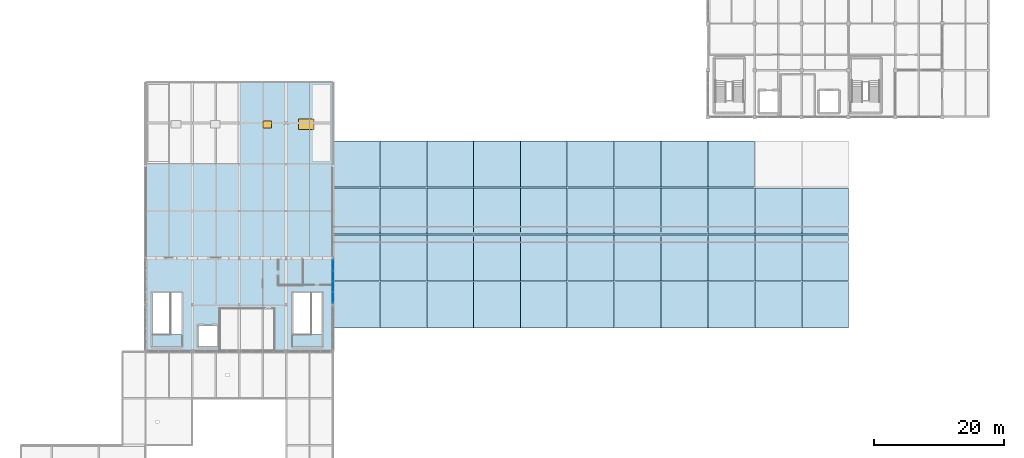
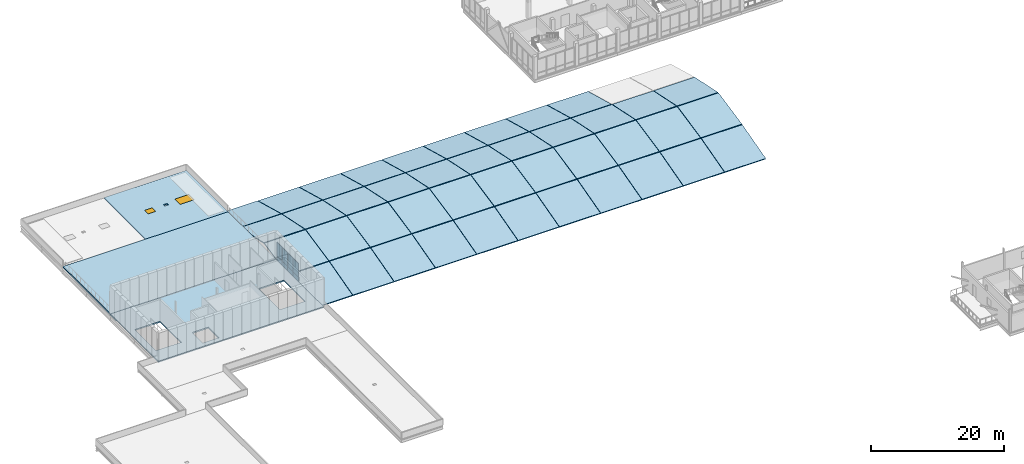
# One storey, part 31 of 47: 45 slabs, 8 plates, 2 windows, 2 openings, 2 elements without a shape of their own.
"""IFC4 building model written with IfcOpenShell, lengths in metres."""

from ifc_helpers import new_model, si_unit, direction, frame, origin, origin_2d, place, context, subcontext, project, spatial, polyline, rectangle, outline, extrude, material, layer, layer_set, type_object, element, fill, aggregate, save


model = new_model("IFC4")

# Units and contexts
model_context = context("Model", 3, precision=1e-05, world=origin(), true_north=direction((0.0, 1.0)))
body_context = subcontext(model_context, "Body", "Model", "MODEL_VIEW")
ifc_project = project(units=[si_unit("LENGTHUNIT", "METRE"), si_unit("AREAUNIT", "SQUARE_METRE"), si_unit("VOLUMEUNIT", "CUBIC_METRE"), si_unit("PLANEANGLEUNIT", "RADIAN"), si_unit("MASSUNIT", "GRAM", prefix="KILO")], contexts=[model_context])

# Site, building, storey
site_placement = place(None, origin())
site = spatial("IfcSite", under=ifc_project, at=site_placement, CompositionType="ELEMENT")
building_placement = place(site_placement, origin())
building = spatial("IfcBuilding", under=site, at=building_placement, Name="Yarey Park Central Fire Station", CompositionType="ELEMENT")
storey_placement = place(building_placement, frame((0.0, 0.0, 18.0)))
storey = spatial("IfcBuildingStorey", under=building, at=storey_placement, Name="L05", CompositionType="ELEMENT", Elevation=18.0)

# Curtain wall, plates
ifc_material_1 = material(Name="Anodized Aluminium Frame", Category="aluminium")
curtain_wall_type = type_object("IfcCurtainWallType", Name="ENV_CW_V3_PAV", PredefinedType="NOTDEFINED", material=ifc_material_1)
curtain_wall_placement = place(storey_placement, origin())
curtain_wall = element("IfcCurtainWall", 1, at=curtain_wall_placement, inside=storey, type_object=curtain_wall_type, Name="CW_L05_V3_E_086", PredefinedType="NOTDEFINED")
ifc_material_2 = material(Name="Insulated Aluminium Spandrel Panel", Category="aluminium")
ifc_layer_1 = layer(ifc_material_2, 0.077880859375)
ifc_layer_set_1 = layer_set([ifc_layer_1], Name="Insulated Aluminium Spandrel Panel")
plate_type_1 = type_object("IfcPlateType", Name="ENV_PNL_SPN_03", PredefinedType="CURTAIN_PANEL", material=ifc_layer_set_1)
plate_1_placement = place(storey_placement, frame((57.60009765625, 65.9326171875, 0.04248046875), z_axis=(0.0, 0.0, 1.0), x_axis=(0.0, 1.0, 0.0)))
plate_1 = element("IfcPlate", 2, at=plate_1_placement, type_object=plate_type_1, Name="CW_L05_V3_E_086_PNL01", PredefinedType="CURTAIN_PANEL", context=body_context, shape_type="SweptSolid", body=[
    extrude(rectangle(XDim=1.60498046875, YDim=0.077880859375, at=origin_2d()), origin(), (0.0, 0.0, 1.0), 0.7900390625),
])
plate_2_placement = place(storey_placement, frame((57.60009765625, 67.577392578125, 0.04248046875), z_axis=(0.0, 0.0, 1.0), x_axis=(0.0, 1.0, 0.0)))
plate_2 = element("IfcPlate", 3, at=plate_2_placement, type_object=plate_type_1, Name="CW_L05_V3_E_086_PNL03", PredefinedType="CURTAIN_PANEL", context=body_context, shape_type="SweptSolid", body=[
    extrude(rectangle(XDim=1.60498046875, YDim=0.077880859375, at=origin_2d()), origin(), (0.0, 0.0, 1.0), 0.7900390625),
])
plate_3_placement = place(storey_placement, frame((57.60009765625, 69.222412109375, 0.04248046875), z_axis=(0.0, 0.0, 1.0), x_axis=(0.0, 1.0, 0.0)))
plate_3 = element("IfcPlate", 4, at=plate_3_placement, type_object=plate_type_1, Name="CW_L05_V3_E_086_PNL05", PredefinedType="CURTAIN_PANEL", context=body_context, shape_type="SweptSolid", body=[
    extrude(rectangle(XDim=1.60498046875, YDim=0.077880859375, at=origin_2d()), origin(), (0.0, 0.0, 1.0), 0.7900390625),
])
plate_4_placement = place(storey_placement, frame((57.60009765625, 70.867431640625, 0.04248046875), z_axis=(0.0, 0.0, 1.0), x_axis=(0.0, 1.0, 0.0)))
plate_4 = element("IfcPlate", 5, at=plate_4_placement, type_object=plate_type_1, Name="CW_L05_V3_E_086_PNL07", PredefinedType="CURTAIN_PANEL", context=body_context, shape_type="SweptSolid", body=[
    extrude(rectangle(XDim=1.60498046875, YDim=0.077880859375, at=origin_2d()), origin(), (0.0, 0.0, 1.0), 0.7900390625),
])
ifc_material_3 = material(Name="Laminated Hurricane Low-E Glass", Category="glass")
ifc_layer_2 = layer(ifc_material_3, 0.0380859375)
ifc_layer_set_2 = layer_set([ifc_layer_2], Name="Laminated Hurricane Low-E Glass")
plate_type_2 = type_object("IfcPlateType", Name="ENV_PNL_VIS_03", PredefinedType="CURTAIN_PANEL", material=ifc_layer_set_2)
plate_5_placement = place(storey_placement, frame((57.60009765625, 65.9326171875, 0.86767578125), z_axis=(0.0, 0.0, 1.0), x_axis=(0.0, 1.0, 0.0)))
plate_5 = element("IfcPlate", 6, at=plate_5_placement, type_object=plate_type_2, Name="CW_L05_V3_E_086_PNL02", PredefinedType="CURTAIN_PANEL", context=body_context, shape_type="SweptSolid", body=[
    extrude(rectangle(XDim=1.60498046875, YDim=0.0380859375, at=origin_2d()), origin(), (0.0, 0.0, 1.0), 2.489990234375),
])
plate_6_placement = place(storey_placement, frame((57.60009765625, 67.577392578125, 0.86767578125), z_axis=(0.0, 0.0, 1.0), x_axis=(0.0, 1.0, 0.0)))
plate_6 = element("IfcPlate", 7, at=plate_6_placement, type_object=plate_type_2, Name="CW_L05_V3_E_086_PNL04", PredefinedType="CURTAIN_PANEL", context=body_context, shape_type="SweptSolid", body=[
    extrude(rectangle(XDim=1.60498046875, YDim=0.0380859375, at=origin_2d()), origin(), (0.0, 0.0, 1.0), 2.489990234375),
])
plate_7_placement = place(storey_placement, frame((57.60009765625, 69.222412109375, 0.86767578125), z_axis=(0.0, 0.0, 1.0), x_axis=(0.0, 1.0, 0.0)))
plate_7 = element("IfcPlate", 8, at=plate_7_placement, type_object=plate_type_2, Name="CW_L05_V3_E_086_PNL06", PredefinedType="CURTAIN_PANEL", context=body_context, shape_type="SweptSolid", body=[
    extrude(rectangle(XDim=1.60498046875, YDim=0.0380859375, at=origin_2d()), origin(), (0.0, 0.0, 1.0), 2.489990234375),
])
plate_8_placement = place(storey_placement, frame((57.60009765625, 70.867431640625, 0.86767578125), z_axis=(0.0, 0.0, 1.0), x_axis=(0.0, 1.0, 0.0)))
plate_8 = element("IfcPlate", 9, at=plate_8_placement, type_object=plate_type_2, Name="CW_L05_V3_E_086_PNL08", PredefinedType="CURTAIN_PANEL", context=body_context, shape_type="SweptSolid", body=[
    extrude(rectangle(XDim=1.60498046875, YDim=0.0380859375, at=origin_2d()), origin(), (0.0, 0.0, 1.0), 2.489990234375),
])
aggregate(curtain_wall, [plate_1, plate_5, plate_2, plate_6, plate_3, plate_7, plate_4, plate_8])

# Roof, slabs
ifc_material_4 = material(Name="Steel ASTM A500 Gr. C", Category="steel")
roof_type = type_object("IfcRoofType", Name="ARCH_ROOF_BARREL", PredefinedType="BARREL_ROOF", material=ifc_material_4)
roof_placement = place(storey_placement, origin())
roof = element("IfcRoof", 10, at=roof_placement, inside=storey, type_object=roof_type, Name="ROOF_CONTAINER_V2_BARREL", PredefinedType="BARREL_ROOF")
ifc_material_5 = material(Name="Concrete C40/50", Category="concrete")
ifc_layer_3 = layer(ifc_material_5, 0.179931640625)
ifc_layer_set_3 = layer_set([ifc_layer_3], Name="Concrete C40/50")
slab_type_1 = type_object("IfcSlabType", Name="STR_ROOF_ARCH180", PredefinedType="ROOF", material=ifc_layer_set_3)
slab_1_placement = place(storey_placement, frame((57.6201171875, 61.25, -2.64599609375), z_axis=(0.0, -0.262053064363, 0.965053465596), x_axis=(1.0, 0.0, 0.0)))
slab_1 = element("IfcSlab", 11, at=slab_1_placement, type_object=slab_type_1, Name="ROOF_L05_V2_ARCH_01_F1", PredefinedType="ROOF", context=body_context, shape_type="SweptSolid", body=[
    extrude(outline(polyline([(0.0, 0.0), (7.159912109375, 0.0), (7.159912109375, 7.35720652727639), (0.0, 7.35720652727639), (0.0, 0.0)])), origin(), (0.0, 0.0, -1.0), 0.179931640625),
])
slab_2_placement = place(storey_placement, frame((57.6201171875, 68.449951171875, -0.693115234375), z_axis=(0.0, -0.204367473087, 0.97889424145), x_axis=(1.0, 0.0, 0.0)))
slab_2 = element("IfcSlab", 12, at=slab_2_placement, type_object=slab_type_1, Name="ROOF_L05_V2_ARCH_01_F2", PredefinedType="ROOF", context=body_context, shape_type="SweptSolid", body=[
    extrude(outline(polyline([(0.0, 0.0), (7.159912109375, 0.0), (7.159912109375, 7.24295597052658), (0.0, 7.24295597052658), (0.0, 0.0)])), origin(), (0.0, 0.0, -1.0), 0.179931640625),
])
slab_3_placement = place(storey_placement, frame((57.6201171875, 75.659912109375, 0.787109375), z_axis=(0.0, 0.204367473087, 0.97889424145), x_axis=(1.0, 0.0, 0.0)))
slab_3 = element("IfcSlab", 13, at=slab_3_placement, type_object=slab_type_1, Name="ROOF_L05_V2_ARCH_01_F3", PredefinedType="ROOF", context=body_context, shape_type="SweptSolid", body=[
    extrude(outline(polyline([(0.0, 0.0), (7.159912109375, 0.0), (7.159912109375, 7.24295597052658), (0.0, 7.24295597052658), (0.0, 0.0)])), origin(), (0.0, 0.0, -1.0), 0.179931640625),
])
slab_4_placement = place(storey_placement, frame((57.6201171875, 82.85009765625, -0.718017578125), z_axis=(0.0, 0.262061456665, 0.965051186689), x_axis=(1.0, 0.0, 0.0)))
slab_4 = element("IfcSlab", 14, at=slab_4_placement, type_object=slab_type_1, Name="ROOF_L05_V2_ARCH_01_F4", PredefinedType="ROOF", context=body_context, shape_type="SweptSolid", body=[
    extrude(outline(polyline([(0.0, 0.0), (7.159912109375, 0.0), (7.159912109375, 7.356970918798323), (0.0, 7.356970918798323), (0.0, 0.0)])), origin(), (0.0, 0.0, -1.0), 0.179931640625),
])
slab_5_placement = place(storey_placement, frame((64.820068359375, 61.25, -2.64599609375), z_axis=(0.0, -0.262053064363, 0.965053465596), x_axis=(1.0, 0.0, 0.0)))
slab_5 = element("IfcSlab", 15, at=slab_5_placement, type_object=slab_type_1, Name="ROOF_L05_V2_ARCH_02_F1", PredefinedType="ROOF", context=body_context, shape_type="SweptSolid", body=[
    extrude(outline(polyline([(0.0, 0.0), (7.159912109375, 0.0), (7.159912109375, 7.35720652727639), (0.0, 7.35720652727639), (0.0, 0.0)])), origin(), (0.0, 0.0, -1.0), 0.179931640625),
])
slab_6_placement = place(storey_placement, frame((64.820068359375, 68.449951171875, -0.693115234375), z_axis=(0.0, -0.204367473087, 0.97889424145), x_axis=(1.0, 0.0, 0.0)))
slab_6 = element("IfcSlab", 16, at=slab_6_placement, type_object=slab_type_1, Name="ROOF_L05_V2_ARCH_02_F2", PredefinedType="ROOF", context=body_context, shape_type="SweptSolid", body=[
    extrude(outline(polyline([(0.0, 0.0), (7.159912109375, 0.0), (7.159912109375, 7.24295597052658), (0.0, 7.24295597052658), (0.0, 0.0)])), origin(), (0.0, 0.0, -1.0), 0.179931640625),
])
slab_7_placement = place(storey_placement, frame((64.820068359375, 75.659912109375, 0.787109375), z_axis=(0.0, 0.204367473087, 0.97889424145), x_axis=(1.0, 0.0, 0.0)))
slab_7 = element("IfcSlab", 17, at=slab_7_placement, type_object=slab_type_1, Name="ROOF_L05_V2_ARCH_02_F3", PredefinedType="ROOF", context=body_context, shape_type="SweptSolid", body=[
    extrude(outline(polyline([(0.0, 0.0), (7.159912109375, 0.0), (7.159912109375, 7.24295597052658), (0.0, 7.24295597052658), (0.0, 0.0)])), origin(), (0.0, 0.0, -1.0), 0.179931640625),
])
slab_8_placement = place(storey_placement, frame((64.820068359375, 82.85009765625, -0.718017578125), z_axis=(0.0, 0.262061456665, 0.965051186689), x_axis=(1.0, 0.0, 0.0)))
slab_8 = element("IfcSlab", 18, at=slab_8_placement, type_object=slab_type_1, Name="ROOF_L05_V2_ARCH_02_F4", PredefinedType="ROOF", context=body_context, shape_type="SweptSolid", body=[
    extrude(outline(polyline([(0.0, 0.0), (7.159912109375, 0.0), (7.159912109375, 7.356970918798323), (0.0, 7.356970918798323), (0.0, 0.0)])), origin(), (0.0, 0.0, -1.0), 0.179931640625),
])
slab_9_placement = place(storey_placement, frame((72.02001953125, 61.25, -2.64599609375), z_axis=(0.0, -0.262053064363, 0.965053465596), x_axis=(1.0, 0.0, 0.0)))
slab_9 = element("IfcSlab", 19, at=slab_9_placement, type_object=slab_type_1, Name="ROOF_L05_V2_ARCH_03_F1", PredefinedType="ROOF", context=body_context, shape_type="SweptSolid", body=[
    extrude(outline(polyline([(0.0, 0.0), (7.159912109375, 0.0), (7.159912109375, 7.35720652727639), (0.0, 7.35720652727639), (0.0, 0.0)])), origin(), (0.0, 0.0, -1.0), 0.179931640625),
])
slab_10_placement = place(storey_placement, frame((72.02001953125, 68.449951171875, -0.693115234375), z_axis=(0.0, -0.204367473087, 0.97889424145), x_axis=(1.0, 0.0, 0.0)))
slab_10 = element("IfcSlab", 20, at=slab_10_placement, type_object=slab_type_1, Name="ROOF_L05_V2_ARCH_03_F2", PredefinedType="ROOF", context=body_context, shape_type="SweptSolid", body=[
    extrude(outline(polyline([(0.0, 0.0), (7.159912109375, 0.0), (7.159912109375, 7.24295597052658), (0.0, 7.24295597052658), (0.0, 0.0)])), origin(), (0.0, 0.0, -1.0), 0.179931640625),
])
slab_11_placement = place(storey_placement, frame((72.02001953125, 75.659912109375, 0.787109375), z_axis=(0.0, 0.204367473087, 0.97889424145), x_axis=(1.0, 0.0, 0.0)))
slab_11 = element("IfcSlab", 21, at=slab_11_placement, type_object=slab_type_1, Name="ROOF_L05_V2_ARCH_03_F3", PredefinedType="ROOF", context=body_context, shape_type="SweptSolid", body=[
    extrude(outline(polyline([(0.0, 0.0), (7.159912109375, 0.0), (7.159912109375, 7.24295597052658), (0.0, 7.24295597052658), (0.0, 0.0)])), origin(), (0.0, 0.0, -1.0), 0.179931640625),
])
slab_12_placement = place(storey_placement, frame((72.02001953125, 82.85009765625, -0.718017578125), z_axis=(0.0, 0.262061456665, 0.965051186689), x_axis=(1.0, 0.0, 0.0)))
slab_12 = element("IfcSlab", 22, at=slab_12_placement, type_object=slab_type_1, Name="ROOF_L05_V2_ARCH_03_F4", PredefinedType="ROOF", context=body_context, shape_type="SweptSolid", body=[
    extrude(outline(polyline([(0.0, 0.0), (7.159912109375, 0.0), (7.159912109375, 7.356970918798323), (0.0, 7.356970918798323), (0.0, 0.0)])), origin(), (0.0, 0.0, -1.0), 0.179931640625),
])
slab_13_placement = place(storey_placement, frame((79.219970703125, 61.25, -2.64599609375), z_axis=(0.0, -0.262053064363, 0.965053465596), x_axis=(1.0, 0.0, 0.0)))
slab_13 = element("IfcSlab", 23, at=slab_13_placement, type_object=slab_type_1, Name="ROOF_L05_V2_ARCH_04_F1", PredefinedType="ROOF", context=body_context, shape_type="SweptSolid", body=[
    extrude(outline(polyline([(0.0, 0.0), (7.159912109375, 0.0), (7.159912109375, 7.35720652727639), (0.0, 7.35720652727639), (0.0, 0.0)])), origin(), (0.0, 0.0, -1.0), 0.179931640625),
])
slab_14_placement = place(storey_placement, frame((79.219970703125, 68.449951171875, -0.693115234375), z_axis=(0.0, -0.204367473087, 0.97889424145), x_axis=(1.0, 0.0, 0.0)))
slab_14 = element("IfcSlab", 24, at=slab_14_placement, type_object=slab_type_1, Name="ROOF_L05_V2_ARCH_04_F2", PredefinedType="ROOF", context=body_context, shape_type="SweptSolid", body=[
    extrude(outline(polyline([(0.0, 0.0), (7.159912109375, 0.0), (7.159912109375, 7.24295597052658), (0.0, 7.24295597052658), (0.0, 0.0)])), origin(), (0.0, 0.0, -1.0), 0.179931640625),
])
slab_15_placement = place(storey_placement, frame((79.219970703125, 75.659912109375, 0.787109375), z_axis=(0.0, 0.204367473087, 0.97889424145), x_axis=(1.0, 0.0, 0.0)))
slab_15 = element("IfcSlab", 25, at=slab_15_placement, type_object=slab_type_1, Name="ROOF_L05_V2_ARCH_04_F3", PredefinedType="ROOF", context=body_context, shape_type="SweptSolid", body=[
    extrude(outline(polyline([(0.0, 0.0), (7.159912109375, 0.0), (7.159912109375, 7.24295597052658), (0.0, 7.24295597052658), (0.0, 0.0)])), origin(), (0.0, 0.0, -1.0), 0.179931640625),
])
slab_16_placement = place(storey_placement, frame((79.219970703125, 82.85009765625, -0.718017578125), z_axis=(0.0, 0.262061456665, 0.965051186689), x_axis=(1.0, 0.0, 0.0)))
slab_16 = element("IfcSlab", 26, at=slab_16_placement, type_object=slab_type_1, Name="ROOF_L05_V2_ARCH_04_F4", PredefinedType="ROOF", context=body_context, shape_type="SweptSolid", body=[
    extrude(outline(polyline([(0.0, 0.0), (7.159912109375, 0.0), (7.159912109375, 7.356970918798323), (0.0, 7.356970918798323), (0.0, 0.0)])), origin(), (0.0, 0.0, -1.0), 0.179931640625),
])
slab_17_placement = place(storey_placement, frame((86.419921875, 61.25, -2.64599609375), z_axis=(0.0, -0.262053064363, 0.965053465596), x_axis=(1.0, 0.0, 0.0)))
slab_17 = element("IfcSlab", 27, at=slab_17_placement, type_object=slab_type_1, Name="ROOF_L05_V2_ARCH_05_F1", PredefinedType="ROOF", context=body_context, shape_type="SweptSolid", body=[
    extrude(outline(polyline([(0.0, 0.0), (7.16015625, 0.0), (7.16015625, 7.35720652727639), (0.0, 7.35720652727639), (0.0, 0.0)])), origin(), (0.0, 0.0, -1.0), 0.179931640625),
])
slab_18_placement = place(storey_placement, frame((86.419921875, 68.449951171875, -0.693115234375), z_axis=(0.0, -0.204367473087, 0.97889424145), x_axis=(1.0, 0.0, 0.0)))
slab_18 = element("IfcSlab", 28, at=slab_18_placement, type_object=slab_type_1, Name="ROOF_L05_V2_ARCH_05_F2", PredefinedType="ROOF", context=body_context, shape_type="SweptSolid", body=[
    extrude(outline(polyline([(0.0, 0.0), (7.16015625, 0.0), (7.16015625, 7.24295597052658), (0.0, 7.24295597052658), (0.0, 0.0)])), origin(), (0.0, 0.0, -1.0), 0.179931640625),
])
slab_19_placement = place(storey_placement, frame((86.419921875, 75.659912109375, 0.787109375), z_axis=(0.0, 0.204367473087, 0.97889424145), x_axis=(1.0, 0.0, 0.0)))
slab_19 = element("IfcSlab", 29, at=slab_19_placement, type_object=slab_type_1, Name="ROOF_L05_V2_ARCH_05_F3", PredefinedType="ROOF", context=body_context, shape_type="SweptSolid", body=[
    extrude(outline(polyline([(0.0, 0.0), (7.16015625, 0.0), (7.16015625, 7.24295597052658), (0.0, 7.24295597052658), (0.0, 0.0)])), origin(), (0.0, 0.0, -1.0), 0.179931640625),
])
slab_20_placement = place(storey_placement, frame((86.419921875, 82.85009765625, -0.718017578125), z_axis=(0.0, 0.262061456665, 0.965051186689), x_axis=(1.0, 0.0, 0.0)))
slab_20 = element("IfcSlab", 30, at=slab_20_placement, type_object=slab_type_1, Name="ROOF_L05_V2_ARCH_05_F4", PredefinedType="ROOF", context=body_context, shape_type="SweptSolid", body=[
    extrude(outline(polyline([(0.0, 0.0), (7.16015625, 0.0), (7.16015625, 7.356970918798322), (0.0, 7.356970918798322), (0.0, 0.0)])), origin(), (0.0, 0.0, -1.0), 0.179931640625),
])
slab_21_placement = place(storey_placement, frame((93.6201171875, 61.25, -2.64599609375), z_axis=(0.0, -0.262053064363, 0.965053465596), x_axis=(1.0, 0.0, 0.0)))
slab_21 = element("IfcSlab", 31, at=slab_21_placement, type_object=slab_type_1, Name="ROOF_L05_V2_ARCH_06_F1", PredefinedType="ROOF", context=body_context, shape_type="SweptSolid", body=[
    extrude(outline(polyline([(0.0, 0.0), (7.159912109375, 0.0), (7.159912109375, 7.35720652727639), (0.0, 7.35720652727639), (0.0, 0.0)])), origin(), (0.0, 0.0, -1.0), 0.179931640625),
])
slab_22_placement = place(storey_placement, frame((93.6201171875, 68.449951171875, -0.693115234375), z_axis=(0.0, -0.204367473087, 0.97889424145), x_axis=(1.0, 0.0, 0.0)))
slab_22 = element("IfcSlab", 32, at=slab_22_placement, type_object=slab_type_1, Name="ROOF_L05_V2_ARCH_06_F2", PredefinedType="ROOF", context=body_context, shape_type="SweptSolid", body=[
    extrude(outline(polyline([(0.0, 0.0), (7.159912109375, 0.0), (7.159912109375, 7.24295597052658), (0.0, 7.24295597052658), (0.0, 0.0)])), origin(), (0.0, 0.0, -1.0), 0.179931640625),
])
slab_23_placement = place(storey_placement, frame((93.6201171875, 75.659912109375, 0.787109375), z_axis=(0.0, 0.204367473087, 0.97889424145), x_axis=(1.0, 0.0, 0.0)))
slab_23 = element("IfcSlab", 33, at=slab_23_placement, type_object=slab_type_1, Name="ROOF_L05_V2_ARCH_06_F3", PredefinedType="ROOF", context=body_context, shape_type="SweptSolid", body=[
    extrude(outline(polyline([(0.0, 0.0), (7.159912109375, 0.0), (7.159912109375, 7.24295597052658), (0.0, 7.24295597052658), (0.0, 0.0)])), origin(), (0.0, 0.0, -1.0), 0.179931640625),
])
slab_24_placement = place(storey_placement, frame((93.6201171875, 82.85009765625, -0.718017578125), z_axis=(0.0, 0.262061456665, 0.965051186689), x_axis=(1.0, 0.0, 0.0)))
slab_24 = element("IfcSlab", 34, at=slab_24_placement, type_object=slab_type_1, Name="ROOF_L05_V2_ARCH_06_F4", PredefinedType="ROOF", context=body_context, shape_type="SweptSolid", body=[
    extrude(outline(polyline([(0.0, 0.0), (7.159912109375, 0.0), (7.159912109375, 7.356970918798323), (0.0, 7.356970918798323), (0.0, 0.0)])), origin(), (0.0, 0.0, -1.0), 0.179931640625),
])
slab_25_placement = place(storey_placement, frame((100.820068359375, 61.25, -2.64599609375), z_axis=(0.0, -0.262053064363, 0.965053465596), x_axis=(1.0, 0.0, 0.0)))
slab_25 = element("IfcSlab", 35, at=slab_25_placement, type_object=slab_type_1, Name="ROOF_L05_V2_ARCH_07_F1", PredefinedType="ROOF", context=body_context, shape_type="SweptSolid", body=[
    extrude(outline(polyline([(0.0, 0.0), (7.159912109375, 0.0), (7.159912109375, 7.35720652727639), (0.0, 7.35720652727639), (0.0, 0.0)])), origin(), (0.0, 0.0, -1.0), 0.179931640625),
])
slab_26_placement = place(storey_placement, frame((100.820068359375, 68.449951171875, -0.693115234375), z_axis=(0.0, -0.204367473087, 0.97889424145), x_axis=(1.0, 0.0, 0.0)))
slab_26 = element("IfcSlab", 36, at=slab_26_placement, type_object=slab_type_1, Name="ROOF_L05_V2_ARCH_07_F2", PredefinedType="ROOF", context=body_context, shape_type="SweptSolid", body=[
    extrude(outline(polyline([(0.0, 0.0), (7.159912109375, 0.0), (7.159912109375, 7.24295597052658), (0.0, 7.24295597052658), (0.0, 0.0)])), origin(), (0.0, 0.0, -1.0), 0.179931640625),
])
slab_27_placement = place(storey_placement, frame((100.820068359375, 75.659912109375, 0.787109375), z_axis=(0.0, 0.204367473087, 0.97889424145), x_axis=(1.0, 0.0, 0.0)))
slab_27 = element("IfcSlab", 37, at=slab_27_placement, type_object=slab_type_1, Name="ROOF_L05_V2_ARCH_07_F3", PredefinedType="ROOF", context=body_context, shape_type="SweptSolid", body=[
    extrude(outline(polyline([(0.0, 0.0), (7.159912109375, 0.0), (7.159912109375, 7.24295597052658), (0.0, 7.24295597052658), (0.0, 0.0)])), origin(), (0.0, 0.0, -1.0), 0.179931640625),
])
slab_28_placement = place(storey_placement, frame((100.820068359375, 82.85009765625, -0.718017578125), z_axis=(0.0, 0.262061456665, 0.965051186689), x_axis=(1.0, 0.0, 0.0)))
slab_28 = element("IfcSlab", 38, at=slab_28_placement, type_object=slab_type_1, Name="ROOF_L05_V2_ARCH_07_F4", PredefinedType="ROOF", context=body_context, shape_type="SweptSolid", body=[
    extrude(outline(polyline([(0.0, 0.0), (7.159912109375, 0.0), (7.159912109375, 7.356970918798323), (0.0, 7.356970918798323), (0.0, 0.0)])), origin(), (0.0, 0.0, -1.0), 0.179931640625),
])
slab_29_placement = place(storey_placement, frame((108.02001953125, 61.25, -2.64599609375), z_axis=(0.0, -0.262053064363, 0.965053465596), x_axis=(1.0, 0.0, 0.0)))
slab_29 = element("IfcSlab", 39, at=slab_29_placement, type_object=slab_type_1, Name="ROOF_L05_V2_ARCH_08_F1", PredefinedType="ROOF", context=body_context, shape_type="SweptSolid", body=[
    extrude(outline(polyline([(0.0, 0.0), (7.159912109375, 0.0), (7.159912109375, 7.35720652727639), (0.0, 7.35720652727639), (0.0, 0.0)])), origin(), (0.0, 0.0, -1.0), 0.179931640625),
])
slab_30_placement = place(storey_placement, frame((108.02001953125, 68.449951171875, -0.693115234375), z_axis=(0.0, -0.204367473087, 0.97889424145), x_axis=(1.0, 0.0, 0.0)))
slab_30 = element("IfcSlab", 40, at=slab_30_placement, type_object=slab_type_1, Name="ROOF_L05_V2_ARCH_08_F2", PredefinedType="ROOF", context=body_context, shape_type="SweptSolid", body=[
    extrude(outline(polyline([(0.0, 0.0), (7.159912109375, 0.0), (7.159912109375, 7.24295597052658), (0.0, 7.24295597052658), (0.0, 0.0)])), origin(), (0.0, 0.0, -1.0), 0.179931640625),
])
slab_31_placement = place(storey_placement, frame((108.02001953125, 75.659912109375, 0.787109375), z_axis=(0.0, 0.204367473087, 0.97889424145), x_axis=(1.0, 0.0, 0.0)))
slab_31 = element("IfcSlab", 41, at=slab_31_placement, type_object=slab_type_1, Name="ROOF_L05_V2_ARCH_08_F3", PredefinedType="ROOF", context=body_context, shape_type="SweptSolid", body=[
    extrude(outline(polyline([(0.0, 0.0), (7.159912109375, 0.0), (7.159912109375, 7.24295597052658), (0.0, 7.24295597052658), (0.0, 0.0)])), origin(), (0.0, 0.0, -1.0), 0.179931640625),
])
slab_32_placement = place(storey_placement, frame((108.02001953125, 82.85009765625, -0.718017578125), z_axis=(0.0, 0.262061456665, 0.965051186689), x_axis=(1.0, 0.0, 0.0)))
slab_32 = element("IfcSlab", 42, at=slab_32_placement, type_object=slab_type_1, Name="ROOF_L05_V2_ARCH_08_F4", PredefinedType="ROOF", context=body_context, shape_type="SweptSolid", body=[
    extrude(outline(polyline([(0.0, 0.0), (7.159912109375, 0.0), (7.159912109375, 7.356970918798323), (0.0, 7.356970918798323), (0.0, 0.0)])), origin(), (0.0, 0.0, -1.0), 0.179931640625),
])
slab_33_placement = place(storey_placement, frame((115.219970703125, 61.25, -2.64599609375), z_axis=(0.0, -0.262053064363, 0.965053465596), x_axis=(1.0, 0.0, 0.0)))
slab_33 = element("IfcSlab", 43, at=slab_33_placement, type_object=slab_type_1, Name="ROOF_L05_V2_ARCH_09_F1", PredefinedType="ROOF", context=body_context, shape_type="SweptSolid", body=[
    extrude(outline(polyline([(0.0, 0.0), (7.159912109375, 0.0), (7.159912109375, 7.35720652727639), (0.0, 7.35720652727639), (0.0, 0.0)])), origin(), (0.0, 0.0, -1.0), 0.179931640625),
])
slab_34_placement = place(storey_placement, frame((115.219970703125, 68.449951171875, -0.693115234375), z_axis=(0.0, -0.204367473087, 0.97889424145), x_axis=(1.0, 0.0, 0.0)))
slab_34 = element("IfcSlab", 44, at=slab_34_placement, type_object=slab_type_1, Name="ROOF_L05_V2_ARCH_09_F2", PredefinedType="ROOF", context=body_context, shape_type="SweptSolid", body=[
    extrude(outline(polyline([(0.0, 0.0), (7.159912109375, 0.0), (7.159912109375, 7.24295597052658), (0.0, 7.24295597052658), (0.0, 0.0)])), origin(), (0.0, 0.0, -1.0), 0.179931640625),
])
slab_35_placement = place(storey_placement, frame((115.219970703125, 75.659912109375, 0.787109375), z_axis=(0.0, 0.204367473087, 0.97889424145), x_axis=(1.0, 0.0, 0.0)))
slab_35 = element("IfcSlab", 45, at=slab_35_placement, type_object=slab_type_1, Name="ROOF_L05_V2_ARCH_09_F3", PredefinedType="ROOF", context=body_context, shape_type="SweptSolid", body=[
    extrude(outline(polyline([(0.0, 0.0), (7.159912109375, 0.0), (7.159912109375, 7.24295597052658), (0.0, 7.24295597052658), (0.0, 0.0)])), origin(), (0.0, 0.0, -1.0), 0.179931640625),
])
slab_36_placement = place(storey_placement, frame((115.219970703125, 82.85009765625, -0.718017578125), z_axis=(0.0, 0.262061456665, 0.965051186689), x_axis=(1.0, 0.0, 0.0)))
slab_36 = element("IfcSlab", 46, at=slab_36_placement, type_object=slab_type_1, Name="ROOF_L05_V2_ARCH_09_F4", PredefinedType="ROOF", context=body_context, shape_type="SweptSolid", body=[
    extrude(outline(polyline([(0.0, 0.0), (7.159912109375, 0.0), (7.159912109375, 7.356970918798323), (0.0, 7.356970918798323), (0.0, 0.0)])), origin(), (0.0, 0.0, -1.0), 0.179931640625),
])
slab_37_placement = place(storey_placement, frame((122.419921875, 61.25, -2.64599609375), z_axis=(0.0, -0.262053064363, 0.965053465596), x_axis=(1.0, 0.0, 0.0)))
slab_37 = element("IfcSlab", 47, at=slab_37_placement, type_object=slab_type_1, Name="ROOF_L05_V2_ARCH_10_F1", PredefinedType="ROOF", context=body_context, shape_type="SweptSolid", body=[
    extrude(outline(polyline([(0.0, 0.0), (7.16015625, 0.0), (7.16015625, 7.35720652727639), (0.0, 7.35720652727639), (0.0, 0.0)])), origin(), (0.0, 0.0, -1.0), 0.179931640625),
])
slab_38_placement = place(storey_placement, frame((122.419921875, 68.449951171875, -0.693115234375), z_axis=(0.0, -0.204367473087, 0.97889424145), x_axis=(1.0, 0.0, 0.0)))
slab_38 = element("IfcSlab", 48, at=slab_38_placement, type_object=slab_type_1, Name="ROOF_L05_V2_ARCH_10_F2", PredefinedType="ROOF", context=body_context, shape_type="SweptSolid", body=[
    extrude(outline(polyline([(0.0, 0.0), (7.16015625, 0.0), (7.16015625, 7.24295597052658), (0.0, 7.24295597052658), (0.0, 0.0)])), origin(), (0.0, 0.0, -1.0), 0.179931640625),
])
slab_39_placement = place(storey_placement, frame((122.419921875, 75.659912109375, 0.787109375), z_axis=(0.0, 0.204367473087, 0.97889424145), x_axis=(1.0, 0.0, 0.0)))
slab_39 = element("IfcSlab", 49, at=slab_39_placement, type_object=slab_type_1, Name="ROOF_L05_V2_ARCH_10_F3", PredefinedType="ROOF", context=body_context, shape_type="SweptSolid", body=[
    extrude(outline(polyline([(0.0, 0.0), (7.16015625, 0.0), (7.16015625, 7.24295597052658), (0.0, 7.24295597052658), (0.0, 0.0)])), origin(), (0.0, 0.0, -1.0), 0.179931640625),
])
slab_40_placement = place(storey_placement, frame((129.6201171875, 61.25, -2.64599609375), z_axis=(0.0, -0.262053064363, 0.965053465596), x_axis=(1.0, 0.0, 0.0)))
slab_40 = element("IfcSlab", 50, at=slab_40_placement, type_object=slab_type_1, Name="ROOF_L05_V2_ARCH_11_F1", PredefinedType="ROOF", context=body_context, shape_type="SweptSolid", body=[
    extrude(outline(polyline([(0.0, 0.0), (7.159912109375, 0.0), (7.159912109375, 7.35720652727639), (0.0, 7.35720652727639), (0.0, 0.0)])), origin(), (0.0, 0.0, -1.0), 0.179931640625),
])
slab_41_placement = place(storey_placement, frame((129.6201171875, 68.449951171875, -0.693115234375), z_axis=(0.0, -0.204367473087, 0.97889424145), x_axis=(1.0, 0.0, 0.0)))
slab_41 = element("IfcSlab", 51, at=slab_41_placement, type_object=slab_type_1, Name="ROOF_L05_V2_ARCH_11_F2", PredefinedType="ROOF", context=body_context, shape_type="SweptSolid", body=[
    extrude(outline(polyline([(0.0, 0.0), (7.159912109375, 0.0), (7.159912109375, 7.24295597052658), (0.0, 7.24295597052658), (0.0, 0.0)])), origin(), (0.0, 0.0, -1.0), 0.179931640625),
])
slab_42_placement = place(storey_placement, frame((129.6201171875, 75.659912109375, 0.787109375), z_axis=(0.0, 0.204367473087, 0.97889424145), x_axis=(1.0, 0.0, 0.0)))
slab_42 = element("IfcSlab", 52, at=slab_42_placement, type_object=slab_type_1, Name="ROOF_L05_V2_ARCH_11_F3", PredefinedType="ROOF", context=body_context, shape_type="SweptSolid", body=[
    extrude(outline(polyline([(0.0, 0.0), (7.159912109375, 0.0), (7.159912109375, 7.24295597052658), (0.0, 7.24295597052658), (0.0, 0.0)])), origin(), (0.0, 0.0, -1.0), 0.179931640625),
])
aggregate(roof, [slab_1, slab_2, slab_3, slab_4, slab_5, slab_6, slab_7, slab_8, slab_9, slab_10, slab_11, slab_12, slab_13, slab_14, slab_15, slab_16, slab_17, slab_18, slab_19, slab_20, slab_21, slab_22, slab_23, slab_24, slab_25, slab_26, slab_27, slab_28, slab_29, slab_30, slab_31, slab_32, slab_33, slab_34, slab_35, slab_36, slab_37, slab_38, slab_39, slab_40, slab_41, slab_42])

# Slab, openings, windows
ifc_layer_4 = layer(ifc_material_5, 0.2099609375)
ifc_layer_set_4 = layer_set([ifc_layer_4], Name="Concrete C40/50")
slab_type_2 = type_object("IfcSlabType", Name="STR_ROOF_FLAT210", PredefinedType="ROOF", material=ifc_layer_set_4)
slab_43_placement = place(storey_placement, frame((0.0, 0.0, -0.2099609375)))
slab_43 = element("IfcSlab", 53, at=slab_43_placement, inside=storey, type_object=slab_type_2, Name="ROOF_L05_V3_CANT2", PredefinedType="ROOF", context=body_context, shape_type="SweptSolid", body=[
    extrude(outline(polyline([(43.199951171875, 86.39990234375), (57.60009765625, 86.39990234375), (57.60009765625, 99.0), (43.199951171875, 99.0), (43.199951171875, 86.39990234375)]), holes=[polyline([(50.10009765625, 92.5), (50.699951171875, 92.5), (50.699951171875, 92.89990234375), (50.10009765625, 92.89990234375), (50.10009765625, 92.5)])]), origin(), (0.0, 0.0, 1.0), 0.2099609375),
])
opening_1_placement = place(slab_43_placement, frame((47.5, 92.5, -0.010009765625)))
opening_1 = element("IfcOpeningElement", 54, at=opening_1_placement, cuts=slab_43, Name="Opening SK-10", PredefinedType="OPENING", context=body_context, shape_type="SweptSolid", body=[
    extrude(rectangle(XDim=1.320068359375, YDim=1.080078125, at=origin_2d()), origin(), (0.0, 0.0, 1.0), 0.22998046875),
])
opening_2_placement = place(slab_43_placement, frame((53.5, 92.5, -0.010009765625)))
opening_2 = element("IfcOpeningElement", 55, at=opening_2_placement, cuts=slab_43, Name="Opening SK-01", PredefinedType="OPENING", context=body_context, shape_type="SweptSolid", body=[
    extrude(rectangle(XDim=2.39990234375, YDim=1.60009765625, at=origin_2d()), origin(), (0.0, 0.0, 1.0), 0.22998046875),
])
window_type_1 = type_object("IfcWindowType", Name="ENV_SKY_01", PartitioningType="SINGLE_PANEL", PredefinedType="SKYLIGHT", material=ifc_material_3)
window_1_placement = place(slab_43_placement, frame((53.5, 92.5, 0.159912109375)))
window_1 = element("IfcWindow", 56, at=window_1_placement, inside=storey, type_object=window_type_1, Name="SKY_L05_CANT_4", OverallHeight=1.60009765625, OverallWidth=2.39990234375, PartitioningType="SINGLE_PANEL", PredefinedType="SKYLIGHT", context=body_context, shape_type="SweptSolid", body=[
    extrude(rectangle(XDim=2.39990234375, YDim=1.60009765625, at=origin_2d()), origin(), (0.0, 0.0, 1.0), 0.050048828125),
])
fill(opening_2, window_1)
window_type_2 = type_object("IfcWindowType", Name="ENV_SKY_10", PartitioningType="SINGLE_PANEL", PredefinedType="SKYLIGHT", material=ifc_material_3)
window_2_placement = place(slab_43_placement, frame((47.5, 92.5, 0.159912109375)))
window_2 = element("IfcWindow", 57, at=window_2_placement, inside=storey, type_object=window_type_2, Name="SKY_L05_CANT_3", OverallHeight=1.080078125, OverallWidth=1.320068359375, PartitioningType="SINGLE_PANEL", PredefinedType="SKYLIGHT", context=body_context, shape_type="SweptSolid", body=[
    extrude(rectangle(XDim=1.320068359375, YDim=1.080078125, at=origin_2d()), origin(), (0.0, 0.0, 1.0), 0.050048828125),
])
fill(opening_1, window_2)

# Slabs
ifc_layer_5 = layer(ifc_material_5, 0.239990234375)
ifc_layer_set_5 = layer_set([ifc_layer_5], Name="Concrete C40/50")
slab_type_3 = type_object("IfcSlabType", Name="STR_SLAB_F240", PredefinedType="FLOOR", material=ifc_layer_set_5)
slab_44_placement = place(storey_placement, frame((0.0, 0.0, -0.239990234375)))
element("IfcSlab", 58, at=slab_44_placement, inside=storey, type_object=slab_type_3, Name="SLAB_L05_V3_PAV", PredefinedType="FLOOR", context=body_context, shape_type="SweptSolid", body=[
    extrude(outline(polyline([(28.800048828125, 57.60009765625), (57.60009765625, 57.60009765625), (57.60009765625, 72.0), (28.800048828125, 72.0), (28.800048828125, 57.60009765625)]), holes=[polyline([(29.89990234375, 60.199951171875), (34.300048828125, 60.199951171875), (34.300048828125, 66.60009765625), (29.89990234375, 66.60009765625), (29.89990234375, 60.199951171875)]), polyline([(37.0, 58.39990234375), (39.800048828125, 58.39990234375), (39.800048828125, 61.60009765625), (37.0, 61.60009765625), (37.0, 58.39990234375)]), polyline([(51.5, 60.199951171875), (55.89990234375, 60.199951171875), (55.89990234375, 66.60009765625), (51.5, 66.60009765625), (51.5, 60.199951171875)])]), origin(), (0.0, 0.0, 1.0), 0.239990234375),
])
ifc_layer_6 = layer(ifc_material_5, 0.264892578125)
ifc_layer_set_6 = layer_set([ifc_layer_6], Name="Concrete C40/50")
slab_type_4 = type_object("IfcSlabType", Name="STR_SLAB_TER265", PredefinedType="FLOOR", material=ifc_layer_set_6)
slab_45_placement = place(storey_placement, frame((0.0, 0.0, -0.264892578125)))
element("IfcSlab", 59, at=slab_45_placement, inside=storey, type_object=slab_type_4, Name="SLAB_L05_V3_GARDEN", PredefinedType="FLOOR", context=body_context, shape_type="SweptSolid", body=[
    extrude(outline(polyline([(28.800048828125, 72.0), (57.60009765625, 72.0), (57.60009765625, 86.39990234375), (28.800048828125, 86.39990234375), (28.800048828125, 72.0)])), origin(), (0.0, 0.0, 1.0), 0.264892578125),
])

save(model, "model.ifc")
